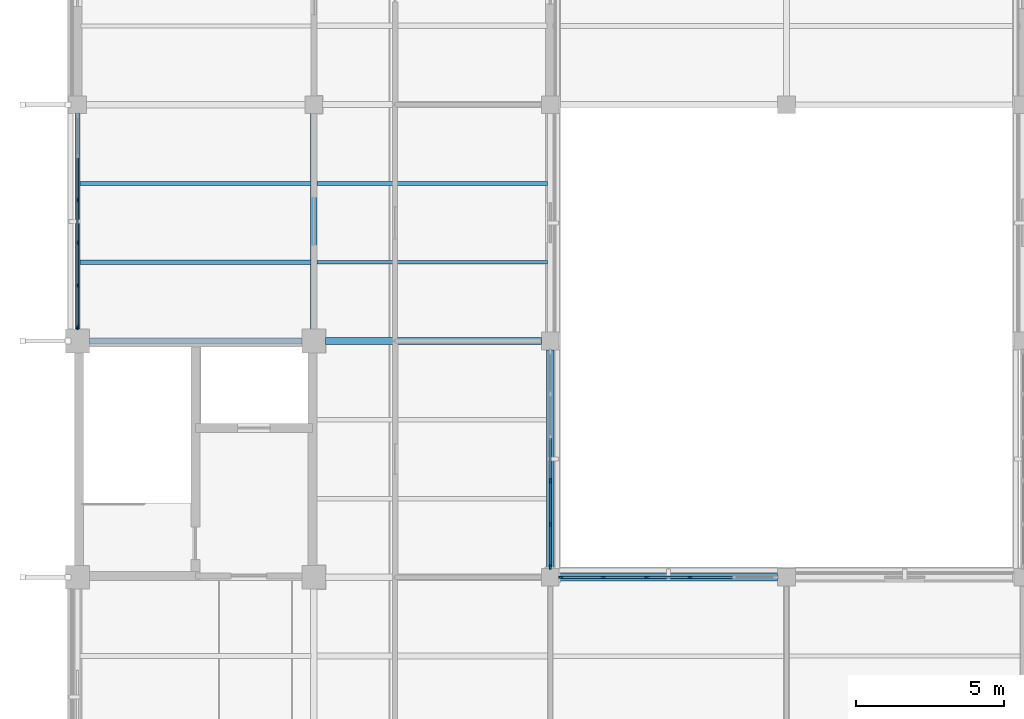
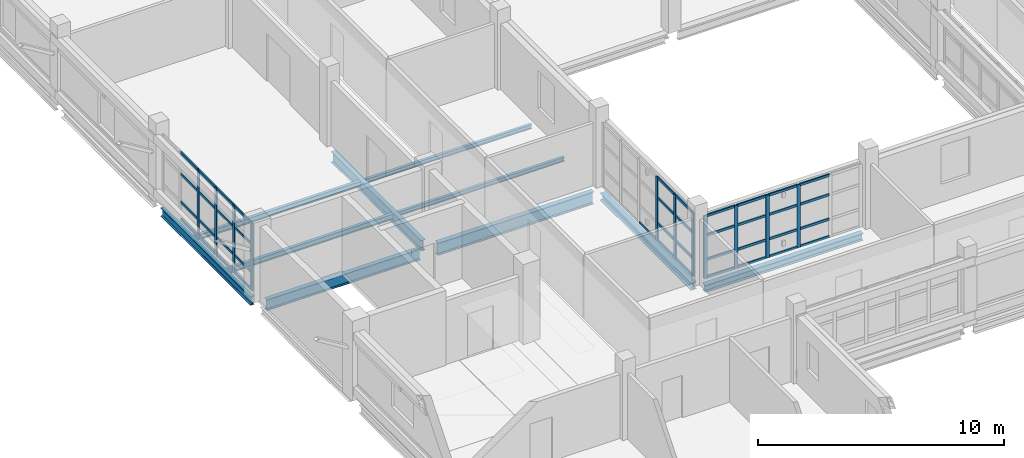
# One storey, part 9 of 126: 52 members, 10 beams, 3 elements without a shape of their own.
"""IFC4 building model written with IfcOpenShell, lengths in metres."""

from ifc_helpers import new_model, si_unit, derived_unit, direction, frame, origin, origin_2d, place, context, subcontext, project, spatial, rectangle, i_section, extrude, material, layer, layer_set, material_profile, profile_set, type_object, element, aggregate, save


model = new_model("IFC4")

# Units and contexts
model_context = context("Model", 3, precision=1e-05, world=origin(), true_north=direction((0.0, 1.0)))
body_context = subcontext(model_context, "Body", "Model", "MODEL_VIEW")
ifc_project = project(units=[si_unit("LENGTHUNIT", "METRE"), si_unit("AREAUNIT", "SQUARE_METRE"), si_unit("VOLUMEUNIT", "CUBIC_METRE"), si_unit("PLANEANGLEUNIT", "RADIAN"), si_unit("MASSUNIT", "GRAM", prefix="KILO"), derived_unit("THERMALTRANSMITTANCEUNIT", [(si_unit("MASSUNIT", "GRAM", prefix="KILO"), 1), (si_unit("TIMEUNIT", "SECOND"), -3), (si_unit("THERMODYNAMICTEMPERATUREUNIT", "KELVIN"), -1)])], contexts=[model_context])

# Site, building, storey
site_placement = place(None, origin())
site = spatial("IfcSite", under=ifc_project, at=site_placement, CompositionType="ELEMENT")
building_placement = place(site_placement, origin())
building = spatial("IfcBuilding", under=site, at=building_placement, Name="Veyamyaing Civic Hall", CompositionType="ELEMENT")
storey_placement = place(building_placement, frame((0.0, 0.0, 9.89990234375)))
storey = spatial("IfcBuildingStorey", under=building, at=storey_placement, Name="L02", CompositionType="ELEMENT", Elevation=9.89990234375)

# Beams
ifc_material_1 = material(Name="Steel ASTM A992", Category="steel")
ifc_material_profile_1 = material_profile(ifc_material_1, i_section(OverallWidth=0.22802734375, OverallDepth=0.60791015625, WebThickness=0.01123046875, FlangeThickness=0.017333984375, FilletRadius=0.012939453125, at=origin_2d()), Name="W610X113")
ifc_profile_set_1 = profile_set([ifc_material_profile_1], Name="Steel ASTM A992")
beam_type_1 = type_object("IfcBeamType", Name="B-06", PredefinedType="BEAM", material=ifc_profile_set_1)
beam_1_placement = place(storey_placement, frame((8.39990234375, 24.0, -0.5888671875), z_axis=(1.0, 0.0, 0.0), x_axis=(0.0, 1.0, 0.0)))
element("IfcBeam", 1, at=beam_1_placement, inside=storey, type_object=beam_type_1, Name="Girder B-06 L02 Grid D 2-3", PredefinedType="BEAM", context=body_context, shape_type="SweptSolid", body=[
    extrude(i_section(OverallWidth=0.22802734375, OverallDepth=0.60791015625, WebThickness=0.01123046875, FlangeThickness=0.017333984375, FilletRadius=0.012939453125, at=origin_2d()), origin(), (0.0, 0.0, 1.0), 7.300048828125),
])
ifc_material_profile_2 = material_profile(ifc_material_1, i_section(OverallWidth=0.208984375, OverallDepth=0.532958984375, WebThickness=0.01025390625, FlangeThickness=0.015625, FilletRadius=0.011962890625, at=origin_2d()), Name="W530X92")
ifc_profile_set_2 = profile_set([ifc_material_profile_2], Name="Steel ASTM A992")
beam_type_2 = type_object("IfcBeamType", Name="B-07", PredefinedType="BEAM", material=ifc_profile_set_2)
beam_2_placement = place(storey_placement, frame((8.0, 24.39990234375, -0.551513671875), z_axis=(0.0, 1.0, 0.0), x_axis=(-1.0, 0.0, 0.0)))
element("IfcBeam", 2, at=beam_2_placement, inside=storey, type_object=beam_type_2, Name="Girder B-07 L02 Grid 2 D-E", PredefinedType="BEAM", context=body_context, shape_type="SweptSolid", body=[
    extrude(i_section(OverallWidth=0.208984375, OverallDepth=0.532958984375, WebThickness=0.01025390625, FlangeThickness=0.015625, FilletRadius=0.011962890625, at=origin_2d()), origin(), (0.0, 0.0, 1.0), 7.300048828125),
])
ifc_material_profile_3 = material_profile(ifc_material_1, i_section(OverallWidth=0.2109375, OverallDepth=0.5390625, WebThickness=0.01171875, FlangeThickness=0.018798828125, FilletRadius=0.011962890625, at=origin_2d()), Name="W530X109")
ifc_profile_set_3 = profile_set([ifc_material_profile_3], Name="Steel ASTM A992")
beam_type_3 = type_object("IfcBeamType", Name="B-17", PredefinedType="BEAM", material=ifc_profile_set_3)
beam_3_placement = place(storey_placement, frame((0.39990234375, 24.0, -0.554443359375), z_axis=(1.0, 0.0, 0.0), x_axis=(0.0, 1.0, 0.0)))
element("IfcBeam", 3, at=beam_3_placement, inside=storey, type_object=beam_type_3, Name="Girder B-17 L02 Grid D 1-2", PredefinedType="BEAM", context=body_context, shape_type="SweptSolid", body=[
    extrude(i_section(OverallWidth=0.2109375, OverallDepth=0.5390625, WebThickness=0.01171875, FlangeThickness=0.018798828125, FilletRadius=0.011962890625, at=origin_2d()), origin(), (0.0, 0.0, 1.0), 7.2001953125),
])
ifc_material_profile_4 = material_profile(ifc_material_1, i_section(OverallWidth=0.180908203125, OverallDepth=0.4169921875, WebThickness=0.010986328125, FlangeThickness=0.018310546875, FilletRadius=0.010009765625, at=origin_2d()), Name="W410X85")
ifc_profile_set_4 = profile_set([ifc_material_profile_4], Name="Steel ASTM A992")
beam_type_4 = type_object("IfcBeamType", Name="B-19", PredefinedType="SPANDREL", material=ifc_profile_set_4)
beam_4_placement = place(storey_placement, frame((0.0, 24.39990234375, -0.493408203125), z_axis=(0.0, 1.0, 0.0), x_axis=(-1.0, 0.0, 0.0)))
element("IfcBeam", 4, at=beam_4_placement, inside=storey, type_object=beam_type_4, Name="Girder B-19 L02 Grid 1 D-E", PredefinedType="SPANDREL", context=body_context, shape_type="SweptSolid", body=[
    extrude(i_section(OverallWidth=0.180908203125, OverallDepth=0.4169921875, WebThickness=0.010986328125, FlangeThickness=0.018310546875, FilletRadius=0.010009765625, at=origin_2d()), origin(), (0.0, 0.0, 1.0), 7.300048828125),
])
ifc_material_profile_5 = material_profile(ifc_material_1, i_section(OverallWidth=0.25390625, OverallDepth=0.35302734375, WebThickness=0.009521484375, FlangeThickness=0.016357421875, FilletRadius=0.011962890625, at=origin_2d()), Name="W360X91")
ifc_profile_set_5 = profile_set([ifc_material_profile_5], Name="Steel ASTM A992")
beam_type_5 = type_object("IfcBeamType", Name="B-20", PredefinedType="SPANDREL", material=ifc_profile_set_5)
for number, where, z_axis, x_axis, name in (
    (5, (16.300048828125, 16.0, -0.46142578125), (1.0, 0.0, 0.0), (0.0, 1.0, 0.0), "Girder B-20 L02 Grid C 3-4"),
    (6, (16.0, 16.300048828125, -0.46142578125), (0.0, 1.0, 0.0), (-1.0, 0.0, 0.0), "Girder B-20 L02 Grid 3 C-D"),
):
    element("IfcBeam", number, at=place(storey_placement, frame(where, z_axis=z_axis, x_axis=x_axis)), inside=storey, type_object=beam_type_5, Name=name, PredefinedType="SPANDREL", context=body_context, shape_type="SweptSolid", body=[
        extrude(i_section(OverallWidth=0.25390625, OverallDepth=0.35302734375, WebThickness=0.009521484375, FlangeThickness=0.016357421875, FilletRadius=0.011962890625, at=origin_2d()), origin(), (0.0, 0.0, 1.0), 7.39990234375),
    ])

# Curtain wall, members
ifc_material_2 = material(Name="Anodised aluminium 6063-T6", Category="aluminium")
ifc_layer = layer(ifc_material_2, 0.159912109375, Name="Anodised aluminium 6063-T6")
ifc_layer_set = layer_set([ifc_layer], Name="Anodised aluminium 6063-T6")
curtain_wall_type = type_object("IfcCurtainWallType", Name="CW-03", PredefinedType="NOTDEFINED", material=ifc_layer_set)
curtain_wall_1_placement = place(storey_placement, origin())
curtain_wall_1 = element("IfcCurtainWall", 7, at=curtain_wall_1_placement, inside=storey, type_object=curtain_wall_type, Name="Unitized curtain wall CW-03 L02 W 1.4", PredefinedType="NOTDEFINED")
ifc_material_profile_6 = material_profile(ifc_material_2, rectangle(XDim=0.06494140625, YDim=0.159912109375, at=origin_2d()), Name="ALU-MUL-65X160")
ifc_profile_set_6 = profile_set([ifc_material_profile_6], Name="Anodised aluminium 6063-T6")
member_type_1 = type_object("IfcMemberType", Name="CWM-01", PredefinedType="MULLION", material=ifc_profile_set_6)
member_1_placement = place(storey_placement, frame((0.0, 24.46240234375, 0.0), z_axis=(0.0, 0.0, 1.0), x_axis=(-1.0, 0.0, 0.0)))
member_1 = element("IfcMember", 8, at=member_1_placement, type_object=member_type_1, Name="CW-03 mullion 1", PredefinedType="MULLION", context=body_context, shape_type="SweptSolid", body=[
    extrude(rectangle(XDim=0.06494140625, YDim=0.159912109375, at=origin_2d()), origin(), (0.0, 0.0, 1.0), 3.359130859375),
])
member_2_placement = place(storey_placement, frame((0.0, 25.8779296875, 0.0), z_axis=(0.0, 0.0, 1.0), x_axis=(-1.0, 0.0, 0.0)))
member_2 = element("IfcMember", 9, at=member_2_placement, type_object=member_type_1, Name="CW-03 mullion 2", PredefinedType="MULLION", context=body_context, shape_type="SweptSolid", body=[
    extrude(rectangle(XDim=0.06494140625, YDim=0.159912109375, at=origin_2d()), origin(), (0.0, 0.0, 1.0), 3.359130859375),
])
member_3_placement = place(storey_placement, frame((0.0, 27.325927734375, 0.0), z_axis=(0.0, 0.0, 1.0), x_axis=(-1.0, 0.0, 0.0)))
member_3 = element("IfcMember", 10, at=member_3_placement, type_object=member_type_1, Name="CW-03 mullion 3", PredefinedType="MULLION", context=body_context, shape_type="SweptSolid", body=[
    extrude(rectangle(XDim=0.06494140625, YDim=0.159912109375, at=origin_2d()), origin(), (0.0, 0.0, 1.0), 3.359130859375),
])
member_4_placement = place(storey_placement, frame((0.0, 28.77392578125, 0.0), z_axis=(0.0, 0.0, 1.0), x_axis=(-1.0, 0.0, 0.0)))
member_4 = element("IfcMember", 11, at=member_4_placement, type_object=member_type_1, Name="CW-03 mullion 4", PredefinedType="MULLION", context=body_context, shape_type="SweptSolid", body=[
    extrude(rectangle(XDim=0.06494140625, YDim=0.159912109375, at=origin_2d()), origin(), (0.0, 0.0, 1.0), 3.359130859375),
])

curtain_wall_2_placement = place(storey_placement, origin())
curtain_wall_2 = element("IfcCurtainWall", 12, at=curtain_wall_2_placement, inside=storey, type_object=curtain_wall_type, Name="Unitized curtain wall CW-03 L02 E 2.3", PredefinedType="NOTDEFINED")
member_5_placement = place(storey_placement, frame((16.0, 16.362548828125, 0.0), z_axis=(0.0, 0.0, 1.0), x_axis=(-1.0, 0.0, 0.0)))
member_5 = element("IfcMember", 13, at=member_5_placement, type_object=member_type_1, Name="CW-03 mullion 1", PredefinedType="MULLION", context=body_context, shape_type="SweptSolid", body=[
    extrude(rectangle(XDim=0.06494140625, YDim=0.159912109375, at=origin_2d()), origin(), (0.0, 0.0, 1.0), 3.17919921875),
])
member_6_placement = place(storey_placement, frame((16.0, 17.798095703125, 0.0), z_axis=(0.0, 0.0, 1.0), x_axis=(-1.0, 0.0, 0.0)))
member_6 = element("IfcMember", 14, at=member_6_placement, type_object=member_type_1, Name="CW-03 mullion 2", PredefinedType="MULLION", context=body_context, shape_type="SweptSolid", body=[
    extrude(rectangle(XDim=0.06494140625, YDim=0.159912109375, at=origin_2d()), origin(), (0.0, 0.0, 1.0), 3.17919921875),
])
member_7_placement = place(storey_placement, frame((16.0, 19.26611328125, 0.0), z_axis=(0.0, 0.0, 1.0), x_axis=(-1.0, 0.0, 0.0)))
member_7 = element("IfcMember", 15, at=member_7_placement, type_object=member_type_1, Name="CW-03 mullion 3", PredefinedType="MULLION", context=body_context, shape_type="SweptSolid", body=[
    extrude(rectangle(XDim=0.06494140625, YDim=0.159912109375, at=origin_2d()), origin(), (0.0, 0.0, 1.0), 3.17919921875),
])

curtain_wall_3_placement = place(storey_placement, origin())
curtain_wall_3 = element("IfcCurtainWall", 16, at=curtain_wall_3_placement, inside=storey, type_object=curtain_wall_type, Name="Unitized curtain wall CW-03 L02 N 3.2", PredefinedType="NOTDEFINED")
member_8_placement = place(storey_placement, frame((16.362548828125, 16.0, 0.0), z_axis=(0.0, 0.0, 1.0), x_axis=(0.0, 1.0, 0.0)))
member_8 = element("IfcMember", 17, at=member_8_placement, type_object=member_type_1, Name="CW-03 mullion 1", PredefinedType="MULLION", context=body_context, shape_type="SweptSolid", body=[
    extrude(rectangle(XDim=0.06494140625, YDim=0.159912109375, at=origin_2d()), origin(), (0.0, 0.0, 1.0), 3.10400390625),
])
member_9_placement = place(storey_placement, frame((17.798095703125, 16.0, 0.0), z_axis=(0.0, 0.0, 1.0), x_axis=(0.0, 1.0, 0.0)))
member_9 = element("IfcMember", 18, at=member_9_placement, type_object=member_type_1, Name="CW-03 mullion 2", PredefinedType="MULLION", context=body_context, shape_type="SweptSolid", body=[
    extrude(rectangle(XDim=0.06494140625, YDim=0.159912109375, at=origin_2d()), origin(), (0.0, 0.0, 1.0), 3.10400390625),
])
member_10_placement = place(storey_placement, frame((19.26611328125, 16.0, 0.0), z_axis=(0.0, 0.0, 1.0), x_axis=(0.0, 1.0, 0.0)))
member_10 = element("IfcMember", 19, at=member_10_placement, type_object=member_type_1, Name="CW-03 mullion 3", PredefinedType="MULLION", context=body_context, shape_type="SweptSolid", body=[
    extrude(rectangle(XDim=0.06494140625, YDim=0.159912109375, at=origin_2d()), origin(), (0.0, 0.0, 1.0), 3.10400390625),
])
member_11_placement = place(storey_placement, frame((20.73388671875, 16.0, 0.0), z_axis=(0.0, 0.0, 1.0), x_axis=(0.0, 1.0, 0.0)))
member_11 = element("IfcMember", 20, at=member_11_placement, type_object=member_type_1, Name="CW-03 mullion 4", PredefinedType="MULLION", context=body_context, shape_type="SweptSolid", body=[
    extrude(rectangle(XDim=0.06494140625, YDim=0.159912109375, at=origin_2d()), origin(), (0.0, 0.0, 1.0), 3.10400390625),
])

# Member
ifc_material_profile_7 = material_profile(ifc_material_2, rectangle(XDim=0.06494140625, YDim=0.1201171875, at=origin_2d()), Name="ALU-TRN-65X120")
ifc_profile_set_7 = profile_set([ifc_material_profile_7], Name="Anodised aluminium 6063-T6")
member_type_2 = type_object("IfcMemberType", Name="CWT-01", PredefinedType="USERDEFINED", material=ifc_profile_set_7)
member_12_placement = place(storey_placement, frame((0.0, 24.4951171875, 0.03271484375), z_axis=(0.0, 1.0, 0.0), x_axis=(-1.0, 0.0, 0.0)))
member_12 = element("IfcMember", 21, at=member_12_placement, type_object=member_type_2, Name="CW-03 transom 1.1", ObjectType="TRANSOM", PredefinedType="USERDEFINED", context=body_context, shape_type="SweptSolid", body=[
    extrude(rectangle(XDim=0.06494140625, YDim=0.1201171875, at=origin_2d()), origin(), (0.0, 0.0, 1.0), 1.350341796875),
])

member_13_placement = place(storey_placement, frame((0.0, 24.4951171875, 0.900146484375), z_axis=(0.0, 1.0, 0.0), x_axis=(-1.0, 0.0, 0.0)))
member_13 = element("IfcMember", 22, at=member_13_placement, type_object=member_type_2, Name="CW-03 transom 1.2", ObjectType="TRANSOM", PredefinedType="USERDEFINED", context=body_context, shape_type="SweptSolid", body=[
    extrude(rectangle(XDim=0.06494140625, YDim=0.1201171875, at=origin_2d()), origin(), (0.0, 0.0, 1.0), 1.350341796875),
])

member_14_placement = place(storey_placement, frame((0.0, 24.4951171875, 2.2841796875), z_axis=(0.0, 1.0, 0.0), x_axis=(-1.0, 0.0, 0.0)))
member_14 = element("IfcMember", 23, at=member_14_placement, type_object=member_type_2, Name="CW-03 transom 1.3", ObjectType="TRANSOM", PredefinedType="USERDEFINED", context=body_context, shape_type="SweptSolid", body=[
    extrude(rectangle(XDim=0.06494140625, YDim=0.1201171875, at=origin_2d()), origin(), (0.0, 0.0, 1.0), 1.350341796875),
])

member_15_placement = place(storey_placement, frame((0.0, 24.4951171875, 3.32666015625), z_axis=(0.0, 1.0, 0.0), x_axis=(-1.0, 0.0, 0.0)))
member_15 = element("IfcMember", 24, at=member_15_placement, type_object=member_type_2, Name="CW-03 transom 1.4", ObjectType="TRANSOM", PredefinedType="USERDEFINED", context=body_context, shape_type="SweptSolid", body=[
    extrude(rectangle(XDim=0.06494140625, YDim=0.1201171875, at=origin_2d()), origin(), (0.0, 0.0, 1.0), 1.350341796875),
])

member_16_placement = place(storey_placement, frame((0.0, 25.910400390625, 0.03271484375), z_axis=(0.0, 1.0, 0.0), x_axis=(-1.0, 0.0, 0.0)))
member_16 = element("IfcMember", 25, at=member_16_placement, type_object=member_type_2, Name="CW-03 transom 2.1", ObjectType="TRANSOM", PredefinedType="USERDEFINED", context=body_context, shape_type="SweptSolid", body=[
    extrude(rectangle(XDim=0.06494140625, YDim=0.1201171875, at=origin_2d()), origin(), (0.0, 0.0, 1.0), 1.383056640625),
])

member_17_placement = place(storey_placement, frame((0.0, 25.910400390625, 0.900146484375), z_axis=(0.0, 1.0, 0.0), x_axis=(-1.0, 0.0, 0.0)))
member_17 = element("IfcMember", 26, at=member_17_placement, type_object=member_type_2, Name="CW-03 transom 2.2", ObjectType="TRANSOM", PredefinedType="USERDEFINED", context=body_context, shape_type="SweptSolid", body=[
    extrude(rectangle(XDim=0.06494140625, YDim=0.1201171875, at=origin_2d()), origin(), (0.0, 0.0, 1.0), 1.383056640625),
])

member_18_placement = place(storey_placement, frame((0.0, 25.910400390625, 2.2841796875), z_axis=(0.0, 1.0, 0.0), x_axis=(-1.0, 0.0, 0.0)))
member_18 = element("IfcMember", 27, at=member_18_placement, type_object=member_type_2, Name="CW-03 transom 2.3", ObjectType="TRANSOM", PredefinedType="USERDEFINED", context=body_context, shape_type="SweptSolid", body=[
    extrude(rectangle(XDim=0.06494140625, YDim=0.1201171875, at=origin_2d()), origin(), (0.0, 0.0, 1.0), 1.383056640625),
])

member_19_placement = place(storey_placement, frame((0.0, 25.910400390625, 3.32666015625), z_axis=(0.0, 1.0, 0.0), x_axis=(-1.0, 0.0, 0.0)))
member_19 = element("IfcMember", 28, at=member_19_placement, type_object=member_type_2, Name="CW-03 transom 2.4", ObjectType="TRANSOM", PredefinedType="USERDEFINED", context=body_context, shape_type="SweptSolid", body=[
    extrude(rectangle(XDim=0.06494140625, YDim=0.1201171875, at=origin_2d()), origin(), (0.0, 0.0, 1.0), 1.383056640625),
])

member_20_placement = place(storey_placement, frame((0.0, 27.3583984375, 0.03271484375), z_axis=(0.0, 1.0, 0.0), x_axis=(-1.0, 0.0, 0.0)))
member_20 = element("IfcMember", 29, at=member_20_placement, type_object=member_type_2, Name="CW-03 transom 3.1", ObjectType="TRANSOM", PredefinedType="USERDEFINED", context=body_context, shape_type="SweptSolid", body=[
    extrude(rectangle(XDim=0.06494140625, YDim=0.1201171875, at=origin_2d()), origin(), (0.0, 0.0, 1.0), 1.383056640625),
])

member_21_placement = place(storey_placement, frame((0.0, 27.3583984375, 0.900146484375), z_axis=(0.0, 1.0, 0.0), x_axis=(-1.0, 0.0, 0.0)))
member_21 = element("IfcMember", 30, at=member_21_placement, type_object=member_type_2, Name="CW-03 transom 3.2", ObjectType="TRANSOM", PredefinedType="USERDEFINED", context=body_context, shape_type="SweptSolid", body=[
    extrude(rectangle(XDim=0.06494140625, YDim=0.1201171875, at=origin_2d()), origin(), (0.0, 0.0, 1.0), 1.383056640625),
])

member_22_placement = place(storey_placement, frame((0.0, 27.3583984375, 2.2841796875), z_axis=(0.0, 1.0, 0.0), x_axis=(-1.0, 0.0, 0.0)))
member_22 = element("IfcMember", 31, at=member_22_placement, type_object=member_type_2, Name="CW-03 transom 3.3", ObjectType="TRANSOM", PredefinedType="USERDEFINED", context=body_context, shape_type="SweptSolid", body=[
    extrude(rectangle(XDim=0.06494140625, YDim=0.1201171875, at=origin_2d()), origin(), (0.0, 0.0, 1.0), 1.383056640625),
])

member_23_placement = place(storey_placement, frame((0.0, 27.3583984375, 3.32666015625), z_axis=(0.0, 1.0, 0.0), x_axis=(-1.0, 0.0, 0.0)))
member_23 = element("IfcMember", 32, at=member_23_placement, type_object=member_type_2, Name="CW-03 transom 3.4", ObjectType="TRANSOM", PredefinedType="USERDEFINED", context=body_context, shape_type="SweptSolid", body=[
    extrude(rectangle(XDim=0.06494140625, YDim=0.1201171875, at=origin_2d()), origin(), (0.0, 0.0, 1.0), 1.383056640625),
])

member_24_placement = place(storey_placement, frame((0.0, 28.806396484375, 0.03271484375), z_axis=(0.0, 1.0, 0.0), x_axis=(-1.0, 0.0, 0.0)))
member_24 = element("IfcMember", 33, at=member_24_placement, type_object=member_type_2, Name="CW-03 transom 4.1", ObjectType="TRANSOM", PredefinedType="USERDEFINED", context=body_context, shape_type="SweptSolid", body=[
    extrude(rectangle(XDim=0.06494140625, YDim=0.1201171875, at=origin_2d()), origin(), (0.0, 0.0, 1.0), 1.383056640625),
])

member_25_placement = place(storey_placement, frame((0.0, 28.806396484375, 0.900146484375), z_axis=(0.0, 1.0, 0.0), x_axis=(-1.0, 0.0, 0.0)))
member_25 = element("IfcMember", 34, at=member_25_placement, type_object=member_type_2, Name="CW-03 transom 4.2", ObjectType="TRANSOM", PredefinedType="USERDEFINED", context=body_context, shape_type="SweptSolid", body=[
    extrude(rectangle(XDim=0.06494140625, YDim=0.1201171875, at=origin_2d()), origin(), (0.0, 0.0, 1.0), 1.383056640625),
])

member_26_placement = place(storey_placement, frame((0.0, 28.806396484375, 2.2841796875), z_axis=(0.0, 1.0, 0.0), x_axis=(-1.0, 0.0, 0.0)))
member_26 = element("IfcMember", 35, at=member_26_placement, type_object=member_type_2, Name="CW-03 transom 4.3", ObjectType="TRANSOM", PredefinedType="USERDEFINED", context=body_context, shape_type="SweptSolid", body=[
    extrude(rectangle(XDim=0.06494140625, YDim=0.1201171875, at=origin_2d()), origin(), (0.0, 0.0, 1.0), 1.383056640625),
])

member_27_placement = place(storey_placement, frame((0.0, 28.806396484375, 3.32666015625), z_axis=(0.0, 1.0, 0.0), x_axis=(-1.0, 0.0, 0.0)))
member_27 = element("IfcMember", 36, at=member_27_placement, type_object=member_type_2, Name="CW-03 transom 4.4", ObjectType="TRANSOM", PredefinedType="USERDEFINED", context=body_context, shape_type="SweptSolid", body=[
    extrude(rectangle(XDim=0.06494140625, YDim=0.1201171875, at=origin_2d()), origin(), (0.0, 0.0, 1.0), 1.383056640625),
])

aggregate(curtain_wall_1, [member_1, member_2, member_3, member_4, member_12, member_13, member_14, member_15, member_16, member_17, member_18, member_19, member_20, member_21, member_22, member_23, member_24, member_25, member_26, member_27])

member_28_placement = place(storey_placement, frame((16.0, 16.39501953125, 0.03271484375), z_axis=(0.0, 1.0, 0.0), x_axis=(-1.0, 0.0, 0.0)))
member_28 = element("IfcMember", 37, at=member_28_placement, type_object=member_type_2, Name="CW-03 transom 1.1", ObjectType="TRANSOM", PredefinedType="USERDEFINED", context=body_context, shape_type="SweptSolid", body=[
    extrude(rectangle(XDim=0.06494140625, YDim=0.1201171875, at=origin_2d()), origin(), (0.0, 0.0, 1.0), 1.370361328125),
])

member_29_placement = place(storey_placement, frame((16.0, 16.39501953125, 0.900146484375), z_axis=(0.0, 1.0, 0.0), x_axis=(-1.0, 0.0, 0.0)))
member_29 = element("IfcMember", 38, at=member_29_placement, type_object=member_type_2, Name="CW-03 transom 1.2", ObjectType="TRANSOM", PredefinedType="USERDEFINED", context=body_context, shape_type="SweptSolid", body=[
    extrude(rectangle(XDim=0.06494140625, YDim=0.1201171875, at=origin_2d()), origin(), (0.0, 0.0, 1.0), 1.370361328125),
])

member_30_placement = place(storey_placement, frame((16.0, 16.39501953125, 2.161865234375), z_axis=(0.0, 1.0, 0.0), x_axis=(-1.0, 0.0, 0.0)))
member_30 = element("IfcMember", 39, at=member_30_placement, type_object=member_type_2, Name="CW-03 transom 1.3", ObjectType="TRANSOM", PredefinedType="USERDEFINED", context=body_context, shape_type="SweptSolid", body=[
    extrude(rectangle(XDim=0.06494140625, YDim=0.1201171875, at=origin_2d()), origin(), (0.0, 0.0, 1.0), 1.370361328125),
])

member_31_placement = place(storey_placement, frame((16.0, 16.39501953125, 3.146484375), z_axis=(0.0, 1.0, 0.0), x_axis=(-1.0, 0.0, 0.0)))
member_31 = element("IfcMember", 40, at=member_31_placement, type_object=member_type_2, Name="CW-03 transom 1.4", ObjectType="TRANSOM", PredefinedType="USERDEFINED", context=body_context, shape_type="SweptSolid", body=[
    extrude(rectangle(XDim=0.06494140625, YDim=0.1201171875, at=origin_2d()), origin(), (0.0, 0.0, 1.0), 1.370361328125),
])

member_32_placement = place(storey_placement, frame((16.0, 17.83056640625, 0.03271484375), z_axis=(0.0, 1.0, 0.0), x_axis=(-1.0, 0.0, 0.0)))
member_32 = element("IfcMember", 41, at=member_32_placement, type_object=member_type_2, Name="CW-03 transom 2.1", ObjectType="TRANSOM", PredefinedType="USERDEFINED", context=body_context, shape_type="SweptSolid", body=[
    extrude(rectangle(XDim=0.06494140625, YDim=0.1201171875, at=origin_2d()), origin(), (0.0, 0.0, 1.0), 1.40283203125),
])

member_33_placement = place(storey_placement, frame((16.0, 17.83056640625, 0.900146484375), z_axis=(0.0, 1.0, 0.0), x_axis=(-1.0, 0.0, 0.0)))
member_33 = element("IfcMember", 42, at=member_33_placement, type_object=member_type_2, Name="CW-03 transom 2.2", ObjectType="TRANSOM", PredefinedType="USERDEFINED", context=body_context, shape_type="SweptSolid", body=[
    extrude(rectangle(XDim=0.06494140625, YDim=0.1201171875, at=origin_2d()), origin(), (0.0, 0.0, 1.0), 1.40283203125),
])

member_34_placement = place(storey_placement, frame((16.0, 17.83056640625, 2.161865234375), z_axis=(0.0, 1.0, 0.0), x_axis=(-1.0, 0.0, 0.0)))
member_34 = element("IfcMember", 43, at=member_34_placement, type_object=member_type_2, Name="CW-03 transom 2.3", ObjectType="TRANSOM", PredefinedType="USERDEFINED", context=body_context, shape_type="SweptSolid", body=[
    extrude(rectangle(XDim=0.06494140625, YDim=0.1201171875, at=origin_2d()), origin(), (0.0, 0.0, 1.0), 1.40283203125),
])

member_35_placement = place(storey_placement, frame((16.0, 17.83056640625, 3.146484375), z_axis=(0.0, 1.0, 0.0), x_axis=(-1.0, 0.0, 0.0)))
member_35 = element("IfcMember", 44, at=member_35_placement, type_object=member_type_2, Name="CW-03 transom 2.4", ObjectType="TRANSOM", PredefinedType="USERDEFINED", context=body_context, shape_type="SweptSolid", body=[
    extrude(rectangle(XDim=0.06494140625, YDim=0.1201171875, at=origin_2d()), origin(), (0.0, 0.0, 1.0), 1.40283203125),
])

member_36_placement = place(storey_placement, frame((16.0, 19.298583984375, 0.03271484375), z_axis=(0.0, 1.0, 0.0), x_axis=(-1.0, 0.0, 0.0)))
member_36 = element("IfcMember", 45, at=member_36_placement, type_object=member_type_2, Name="CW-03 transom 3.1", ObjectType="TRANSOM", PredefinedType="USERDEFINED", context=body_context, shape_type="SweptSolid", body=[
    extrude(rectangle(XDim=0.06494140625, YDim=0.1201171875, at=origin_2d()), origin(), (0.0, 0.0, 1.0), 1.40283203125),
])

aggregate(curtain_wall_2, [member_5, member_6, member_7, member_28, member_29, member_30, member_31, member_32, member_33, member_34, member_35, member_36])

member_37_placement = place(storey_placement, frame((16.39501953125, 16.0, 0.03271484375), z_axis=(1.0, 0.0, 0.0), x_axis=(0.0, 1.0, 0.0)))
member_37 = element("IfcMember", 46, at=member_37_placement, type_object=member_type_2, Name="CW-03 transom 1.1", ObjectType="TRANSOM", PredefinedType="USERDEFINED", context=body_context, shape_type="SweptSolid", body=[
    extrude(rectangle(XDim=0.06494140625, YDim=0.1201171875, at=origin_2d()), origin(), (0.0, 0.0, 1.0), 1.370361328125),
])

member_38_placement = place(storey_placement, frame((16.39501953125, 16.0, 0.900146484375), z_axis=(1.0, 0.0, 0.0), x_axis=(0.0, 1.0, 0.0)))
member_38 = element("IfcMember", 47, at=member_38_placement, type_object=member_type_2, Name="CW-03 transom 1.2", ObjectType="TRANSOM", PredefinedType="USERDEFINED", context=body_context, shape_type="SweptSolid", body=[
    extrude(rectangle(XDim=0.06494140625, YDim=0.1201171875, at=origin_2d()), origin(), (0.0, 0.0, 1.0), 1.370361328125),
])

member_39_placement = place(storey_placement, frame((16.39501953125, 16.0, 2.11083984375), z_axis=(1.0, 0.0, 0.0), x_axis=(0.0, 1.0, 0.0)))
member_39 = element("IfcMember", 48, at=member_39_placement, type_object=member_type_2, Name="CW-03 transom 1.3", ObjectType="TRANSOM", PredefinedType="USERDEFINED", context=body_context, shape_type="SweptSolid", body=[
    extrude(rectangle(XDim=0.06494140625, YDim=0.1201171875, at=origin_2d()), origin(), (0.0, 0.0, 1.0), 1.370361328125),
])

member_40_placement = place(storey_placement, frame((16.39501953125, 16.0, 3.071533203125), z_axis=(1.0, 0.0, 0.0), x_axis=(0.0, 1.0, 0.0)))
member_40 = element("IfcMember", 49, at=member_40_placement, type_object=member_type_2, Name="CW-03 transom 1.4", ObjectType="TRANSOM", PredefinedType="USERDEFINED", context=body_context, shape_type="SweptSolid", body=[
    extrude(rectangle(XDim=0.06494140625, YDim=0.1201171875, at=origin_2d()), origin(), (0.0, 0.0, 1.0), 1.370361328125),
])

member_41_placement = place(storey_placement, frame((17.83056640625, 16.0, 0.03271484375), z_axis=(1.0, 0.0, 0.0), x_axis=(0.0, 1.0, 0.0)))
member_41 = element("IfcMember", 50, at=member_41_placement, type_object=member_type_2, Name="CW-03 transom 2.1", ObjectType="TRANSOM", PredefinedType="USERDEFINED", context=body_context, shape_type="SweptSolid", body=[
    extrude(rectangle(XDim=0.06494140625, YDim=0.1201171875, at=origin_2d()), origin(), (0.0, 0.0, 1.0), 1.40283203125),
])

member_42_placement = place(storey_placement, frame((17.83056640625, 16.0, 0.900146484375), z_axis=(1.0, 0.0, 0.0), x_axis=(0.0, 1.0, 0.0)))
member_42 = element("IfcMember", 51, at=member_42_placement, type_object=member_type_2, Name="CW-03 transom 2.2", ObjectType="TRANSOM", PredefinedType="USERDEFINED", context=body_context, shape_type="SweptSolid", body=[
    extrude(rectangle(XDim=0.06494140625, YDim=0.1201171875, at=origin_2d()), origin(), (0.0, 0.0, 1.0), 1.40283203125),
])

member_43_placement = place(storey_placement, frame((17.83056640625, 16.0, 2.11083984375), z_axis=(1.0, 0.0, 0.0), x_axis=(0.0, 1.0, 0.0)))
member_43 = element("IfcMember", 52, at=member_43_placement, type_object=member_type_2, Name="CW-03 transom 2.3", ObjectType="TRANSOM", PredefinedType="USERDEFINED", context=body_context, shape_type="SweptSolid", body=[
    extrude(rectangle(XDim=0.06494140625, YDim=0.1201171875, at=origin_2d()), origin(), (0.0, 0.0, 1.0), 1.40283203125),
])

member_44_placement = place(storey_placement, frame((17.83056640625, 16.0, 3.071533203125), z_axis=(1.0, 0.0, 0.0), x_axis=(0.0, 1.0, 0.0)))
member_44 = element("IfcMember", 53, at=member_44_placement, type_object=member_type_2, Name="CW-03 transom 2.4", ObjectType="TRANSOM", PredefinedType="USERDEFINED", context=body_context, shape_type="SweptSolid", body=[
    extrude(rectangle(XDim=0.06494140625, YDim=0.1201171875, at=origin_2d()), origin(), (0.0, 0.0, 1.0), 1.40283203125),
])

member_45_placement = place(storey_placement, frame((19.298583984375, 16.0, 0.03271484375), z_axis=(1.0, 0.0, 0.0), x_axis=(0.0, 1.0, 0.0)))
member_45 = element("IfcMember", 54, at=member_45_placement, type_object=member_type_2, Name="CW-03 transom 3.1", ObjectType="TRANSOM", PredefinedType="USERDEFINED", context=body_context, shape_type="SweptSolid", body=[
    extrude(rectangle(XDim=0.06494140625, YDim=0.1201171875, at=origin_2d()), origin(), (0.0, 0.0, 1.0), 1.40283203125),
])

member_46_placement = place(storey_placement, frame((19.298583984375, 16.0, 0.900146484375), z_axis=(1.0, 0.0, 0.0), x_axis=(0.0, 1.0, 0.0)))
member_46 = element("IfcMember", 55, at=member_46_placement, type_object=member_type_2, Name="CW-03 transom 3.2", ObjectType="TRANSOM", PredefinedType="USERDEFINED", context=body_context, shape_type="SweptSolid", body=[
    extrude(rectangle(XDim=0.06494140625, YDim=0.1201171875, at=origin_2d()), origin(), (0.0, 0.0, 1.0), 1.40283203125),
])

member_47_placement = place(storey_placement, frame((19.298583984375, 16.0, 2.11083984375), z_axis=(1.0, 0.0, 0.0), x_axis=(0.0, 1.0, 0.0)))
member_47 = element("IfcMember", 56, at=member_47_placement, type_object=member_type_2, Name="CW-03 transom 3.3", ObjectType="TRANSOM", PredefinedType="USERDEFINED", context=body_context, shape_type="SweptSolid", body=[
    extrude(rectangle(XDim=0.06494140625, YDim=0.1201171875, at=origin_2d()), origin(), (0.0, 0.0, 1.0), 1.40283203125),
])

member_48_placement = place(storey_placement, frame((19.298583984375, 16.0, 3.071533203125), z_axis=(1.0, 0.0, 0.0), x_axis=(0.0, 1.0, 0.0)))
member_48 = element("IfcMember", 57, at=member_48_placement, type_object=member_type_2, Name="CW-03 transom 3.4", ObjectType="TRANSOM", PredefinedType="USERDEFINED", context=body_context, shape_type="SweptSolid", body=[
    extrude(rectangle(XDim=0.06494140625, YDim=0.1201171875, at=origin_2d()), origin(), (0.0, 0.0, 1.0), 1.40283203125),
])

member_49_placement = place(storey_placement, frame((20.7666015625, 16.0, 0.03271484375), z_axis=(1.0, 0.0, 0.0), x_axis=(0.0, 1.0, 0.0)))
member_49 = element("IfcMember", 58, at=member_49_placement, type_object=member_type_2, Name="CW-03 transom 4.1", ObjectType="TRANSOM", PredefinedType="USERDEFINED", context=body_context, shape_type="SweptSolid", body=[
    extrude(rectangle(XDim=0.06494140625, YDim=0.1201171875, at=origin_2d()), origin(), (0.0, 0.0, 1.0), 1.40283203125),
])

member_50_placement = place(storey_placement, frame((20.7666015625, 16.0, 0.900146484375), z_axis=(1.0, 0.0, 0.0), x_axis=(0.0, 1.0, 0.0)))
member_50 = element("IfcMember", 59, at=member_50_placement, type_object=member_type_2, Name="CW-03 transom 4.2", ObjectType="TRANSOM", PredefinedType="USERDEFINED", context=body_context, shape_type="SweptSolid", body=[
    extrude(rectangle(XDim=0.06494140625, YDim=0.1201171875, at=origin_2d()), origin(), (0.0, 0.0, 1.0), 1.40283203125),
])

member_51_placement = place(storey_placement, frame((20.7666015625, 16.0, 2.11083984375), z_axis=(1.0, 0.0, 0.0), x_axis=(0.0, 1.0, 0.0)))
member_51 = element("IfcMember", 60, at=member_51_placement, type_object=member_type_2, Name="CW-03 transom 4.3", ObjectType="TRANSOM", PredefinedType="USERDEFINED", context=body_context, shape_type="SweptSolid", body=[
    extrude(rectangle(XDim=0.06494140625, YDim=0.1201171875, at=origin_2d()), origin(), (0.0, 0.0, 1.0), 1.40283203125),
])

member_52_placement = place(storey_placement, frame((20.7666015625, 16.0, 3.071533203125), z_axis=(1.0, 0.0, 0.0), x_axis=(0.0, 1.0, 0.0)))
member_52 = element("IfcMember", 61, at=member_52_placement, type_object=member_type_2, Name="CW-03 transom 4.4", ObjectType="TRANSOM", PredefinedType="USERDEFINED", context=body_context, shape_type="SweptSolid", body=[
    extrude(rectangle(XDim=0.06494140625, YDim=0.1201171875, at=origin_2d()), origin(), (0.0, 0.0, 1.0), 1.40283203125),
])

aggregate(curtain_wall_3, [member_8, member_9, member_10, member_11, member_37, member_38, member_39, member_40, member_41, member_42, member_43, member_44, member_45, member_46, member_47, member_48, member_49, member_50, member_51, member_52])

# Beams
ifc_material_profile_8 = material_profile(ifc_material_1, i_section(OverallWidth=0.14794921875, OverallDepth=0.26611328125, WebThickness=0.007568359375, FlangeThickness=0.012939453125, FilletRadius=0.010009765625, at=origin_2d()), Name="W250X45")
ifc_profile_set_8 = profile_set([ifc_material_profile_8], Name="Steel ASTM A992")
beam_type_6 = type_object("IfcBeamType", Name="J-07", PredefinedType="JOIST", material=ifc_profile_set_8)
for number, where, z_axis, x_axis, name in (
    (62, (0.08837890625, 26.666748046875, -0.41796875), (1.0, 0.0, 0.0), (0.0, 1.0, 0.0), "Composite floor joist J-07 L02 1.4.1"),
    (63, (0.08837890625, 29.333251953125, -0.41796875), (1.0, 0.0, 0.0), (0.0, 1.0, 0.0), "Composite floor joist J-07 L02 1.4.2"),
):
    element("IfcBeam", number, at=place(storey_placement, frame(where, z_axis=z_axis, x_axis=x_axis)), inside=storey, type_object=beam_type_6, Name=name, PredefinedType="JOIST", context=body_context, shape_type="SweptSolid", body=[
        extrude(i_section(OverallWidth=0.14794921875, OverallDepth=0.26611328125, WebThickness=0.007568359375, FlangeThickness=0.012939453125, FilletRadius=0.010009765625, at=origin_2d()), origin(), (0.0, 0.0, 1.0), 7.80908203125),
    ])
ifc_material_profile_9 = material_profile(ifc_material_1, i_section(OverallWidth=0.133056640625, OverallDepth=0.20703125, WebThickness=0.005859375, FlangeThickness=0.00830078125, FilletRadius=0.010009765625, at=origin_2d()), Name="W200X27")
ifc_profile_set_9 = profile_set([ifc_material_profile_9], Name="Steel ASTM A992")
beam_type_7 = type_object("IfcBeamType", Name="J-08", PredefinedType="JOIST", material=ifc_profile_set_9)
for number, where, z_axis, x_axis, name in (
    (64, (8.1025390625, 26.666748046875, -0.388427734375), (1.0, 0.0, 0.0), (0.0, 1.0, 0.0), "Composite floor joist J-08 L02 2.4.1"),
    (65, (8.1025390625, 29.333251953125, -0.388427734375), (1.0, 0.0, 0.0), (0.0, 1.0, 0.0), "Composite floor joist J-08 L02 2.4.2"),
):
    element("IfcBeam", number, at=place(storey_placement, frame(where, z_axis=z_axis, x_axis=x_axis)), inside=storey, type_object=beam_type_7, Name=name, PredefinedType="JOIST", context=body_context, shape_type="SweptSolid", body=[
        extrude(i_section(OverallWidth=0.133056640625, OverallDepth=0.20703125, WebThickness=0.005859375, FlangeThickness=0.00830078125, FilletRadius=0.010009765625, at=origin_2d()), origin(), (0.0, 0.0, 1.0), 7.8095703125),
    ])

save(model, "model.ifc")
